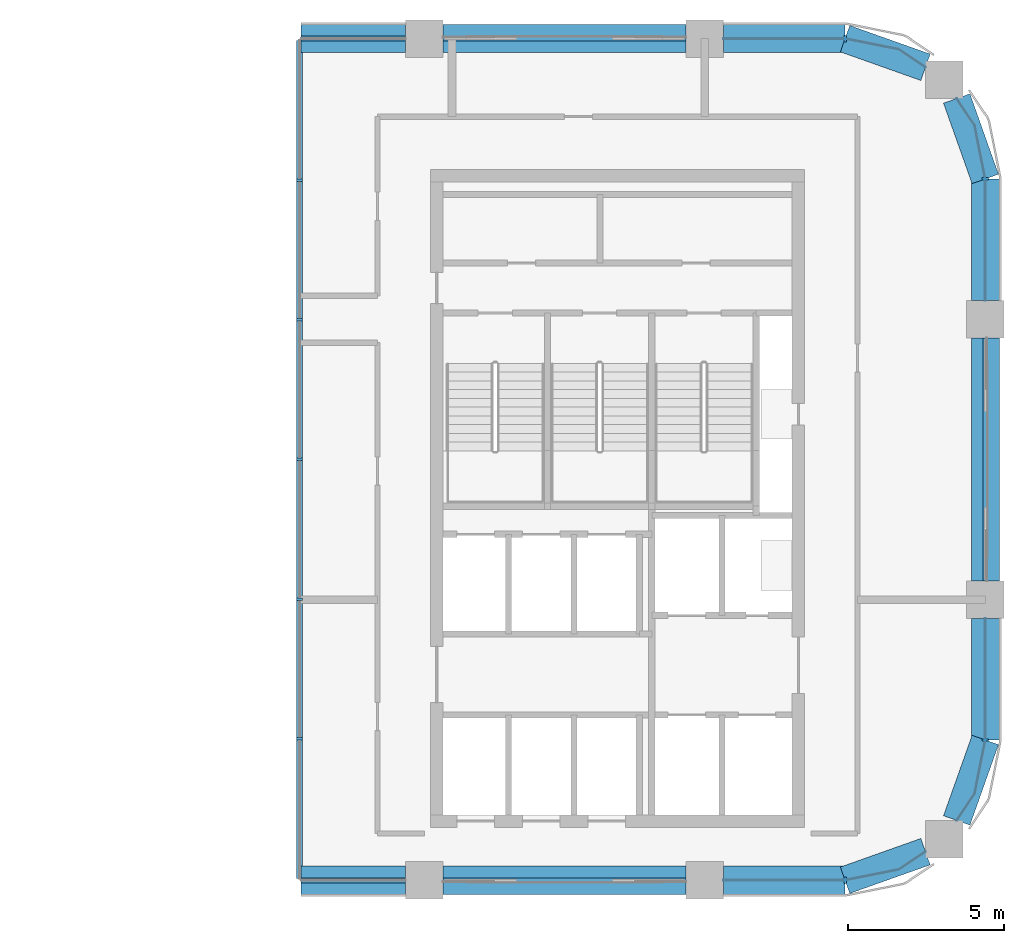
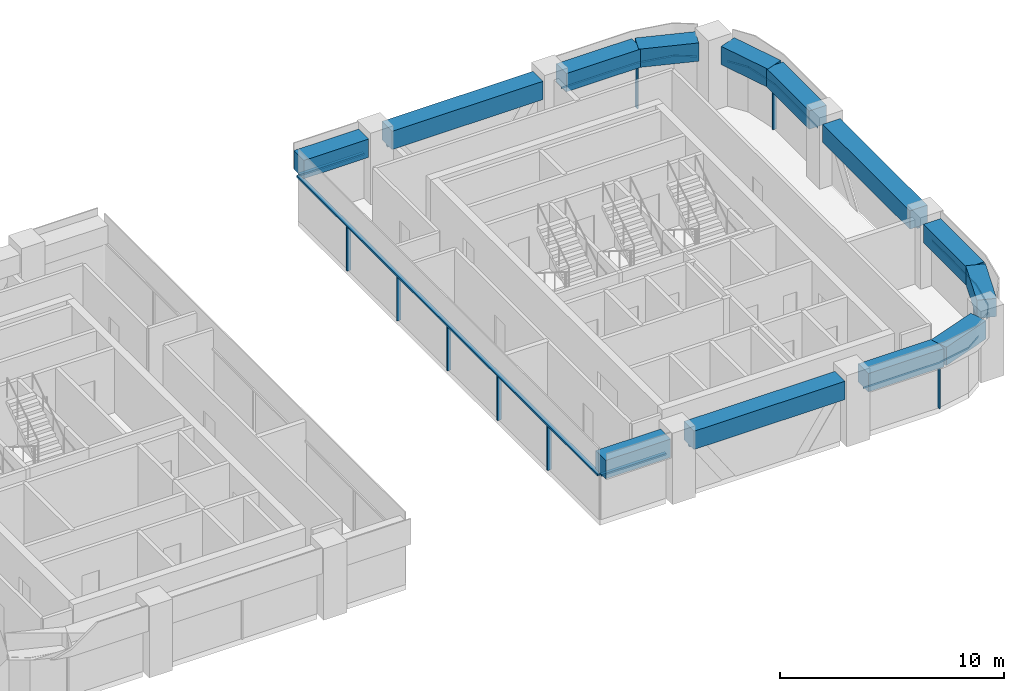
# One storey, part 3 of 11: 19 members, 13 beams, 10 elements without a shape of their own.
"""IFC4 building model written with IfcOpenShell, lengths in metres."""

from ifc_helpers import new_model, si_unit, direction, frame, origin, origin_2d, place, context, subcontext, project, spatial, polyline, rectangle, outline, extrude, material, material_profile, profile_set, type_object, element, aggregate, save


model = new_model("IFC4")

# Units and contexts
model_context = context("Model", 3, precision=1e-05, world=origin(), true_north=direction((0.0, 1.0)))
body_context = subcontext(model_context, "Body", "Model", "MODEL_VIEW")
ifc_project = project(units=[si_unit("LENGTHUNIT", "METRE"), si_unit("AREAUNIT", "SQUARE_METRE"), si_unit("VOLUMEUNIT", "CUBIC_METRE"), si_unit("PLANEANGLEUNIT", "RADIAN"), si_unit("MASSUNIT", "GRAM", prefix="KILO")], contexts=[model_context])

# Site, building, storey
site_placement = place(None, origin())
site = spatial("IfcSite", under=ifc_project, at=site_placement, CompositionType="ELEMENT")
building_placement = place(site_placement, origin())
building = spatial("IfcBuilding", under=site, at=building_placement, Name="Tessera Arch", CompositionType="ELEMENT")
storey_placement = place(building_placement, frame((0.0, 0.0, 222.800048828125)))
storey = spatial("IfcBuildingStorey", under=building, at=storey_placement, Name="L53", CompositionType="ELEMENT", Elevation=222.800048828125)

# Curtain wall, member
ifc_material_1 = material(Name="CW1 curtain wall")
curtain_wall_type_1 = type_object("IfcCurtainWallType", Name="CW1 curtain wall", PredefinedType="NOTDEFINED", material=ifc_material_1)
curtain_wall_1_placement = place(storey_placement, origin())
curtain_wall_1 = element("IfcCurtainWall", 1, at=curtain_wall_1_placement, inside=storey, type_object=curtain_wall_type_1, Name="CW1 curtain wall S27.32/0 L53", PredefinedType="NOTDEFINED")
ifc_material_2 = material(Name="Anodised aluminium pale metal", Category="aluminium")
ifc_material_profile_1 = material_profile(ifc_material_2, rectangle(XDim=0.159912109375, YDim=0.10009765625, at=origin_2d()), Name="AL 160x100")
ifc_profile_set_1 = profile_set([ifc_material_profile_1], Name="Anodised aluminium pale metal")
member_type_1 = type_object("IfcMemberType", Name="CW1 transom", PredefinedType="USERDEFINED", material=ifc_profile_set_1)
member_1_placement = place(storey_placement, frame((32.050048828125, 27.0, 2.449951171875), z_axis=(1.0, 0.0, 0.0), x_axis=(0.0, 1.0, 0.0)))
member_1 = element("IfcMember", 2, at=member_1_placement, type_object=member_type_1, Name="CW1 transom S27.32/0 1.1", ObjectType="TRANSOM", PredefinedType="USERDEFINED", context=body_context, shape_type="SweptSolid", body=[
    extrude(rectangle(XDim=0.159912109375, YDim=0.10009765625, at=origin_2d()), origin(), (0.0, 0.0, 1.0), 3.349853515625),
])
aggregate(curtain_wall_1, [member_1])

curtain_wall_2_placement = place(storey_placement, origin())
curtain_wall_2 = element("IfcCurtainWall", 3, at=curtain_wall_2_placement, inside=storey, type_object=curtain_wall_type_1, Name="CW1 curtain wall N54.32/2 L53", PredefinedType="NOTDEFINED")
member_2_placement = place(storey_placement, frame((35.39990234375, 54.0, 2.449951171875), z_axis=(-1.0, 0.0, 0.0), x_axis=(0.0, -1.0, 0.0)))
member_2 = element("IfcMember", 4, at=member_2_placement, type_object=member_type_1, Name="CW1 transom N54.32/2 1.1", ObjectType="TRANSOM", PredefinedType="USERDEFINED", context=body_context, shape_type="SweptSolid", body=[
    extrude(rectangle(XDim=0.159912109375, YDim=0.10009765625, at=origin_2d()), origin(), (0.0, 0.0, 1.0), 3.349853515625),
])
aggregate(curtain_wall_2, [member_2])

ifc_material_3 = material(Name="CW2 curtain wall")
curtain_wall_type_2 = type_object("IfcCurtainWallType", Name="CW2 curtain wall", PredefinedType="NOTDEFINED", material=ifc_material_3)
curtain_wall_3_placement = place(storey_placement, origin())
curtain_wall_3 = element("IfcCurtainWall", 5, at=curtain_wall_3_placement, inside=storey, type_object=curtain_wall_type_2, Name="CW2 curtain wall S27.32/2 L53", PredefinedType="NOTDEFINED")
ifc_material_4 = material(Name="Anodised aluminium pale metal", Category="aluminium")
ifc_material_profile_2 = material_profile(ifc_material_4, rectangle(XDim=0.199951171875, YDim=0.080078125, at=origin_2d()), Name="AL 80x200")
ifc_profile_set_2 = profile_set([ifc_material_profile_2], Name="Anodised aluminium pale metal")
member_type_2 = type_object("IfcMemberType", Name="CW2 mullion", PredefinedType="MULLION", material=ifc_profile_set_2)
member_3_placement = place(storey_placement, frame((49.5, 27.0, 0.0), z_axis=(0.0, 0.0, 1.0), x_axis=(0.0, 1.0, 0.0)))
member_3 = element("IfcMember", 6, at=member_3_placement, type_object=member_type_2, Name="CW2 mullion S27.32/2 1", PredefinedType="MULLION", context=body_context, shape_type="SweptSolid", body=[
    extrude(rectangle(XDim=0.199951171875, YDim=0.080078125, at=origin_2d()), origin(), (0.0, 0.0, 1.0), 2.39990234375),
])

curtain_wall_4_placement = place(storey_placement, origin())
curtain_wall_4 = element("IfcCurtainWall", 7, at=curtain_wall_4_placement, inside=storey, type_object=curtain_wall_type_2, Name="CW2 curtain wall E54.27/0 L53", PredefinedType="NOTDEFINED")
member_4_placement = place(storey_placement, frame((54.0, 31.5, 0.0), z_axis=(0.0, 0.0, 1.0), x_axis=(-1.0, 0.0, 0.0)))
member_4 = element("IfcMember", 8, at=member_4_placement, type_object=member_type_2, Name="CW2 mullion E54.27/0 1", PredefinedType="MULLION", context=body_context, shape_type="SweptSolid", body=[
    extrude(rectangle(XDim=0.199951171875, YDim=0.080078125, at=origin_2d()), origin(), (0.0, 0.0, 1.0), 2.39990234375),
])

curtain_wall_5_placement = place(storey_placement, origin())
curtain_wall_5 = element("IfcCurtainWall", 9, at=curtain_wall_5_placement, inside=storey, type_object=curtain_wall_type_2, Name="CW2 curtain wall E54.27/2 L53", PredefinedType="NOTDEFINED")
member_5_placement = place(storey_placement, frame((54.0, 49.5, 0.0), z_axis=(0.0, 0.0, 1.0), x_axis=(-1.0, 0.0, 0.0)))
member_5 = element("IfcMember", 10, at=member_5_placement, type_object=member_type_2, Name="CW2 mullion E54.27/2 1", PredefinedType="MULLION", context=body_context, shape_type="SweptSolid", body=[
    extrude(rectangle(XDim=0.199951171875, YDim=0.080078125, at=origin_2d()), origin(), (0.0, 0.0, 1.0), 2.39990234375),
])

curtain_wall_6_placement = place(storey_placement, origin())
curtain_wall_6 = element("IfcCurtainWall", 11, at=curtain_wall_6_placement, inside=storey, type_object=curtain_wall_type_2, Name="CW2 curtain wall N54.32/0 L53", PredefinedType="NOTDEFINED")
member_6_placement = place(storey_placement, frame((49.5, 54.0, 0.0), z_axis=(0.0, 0.0, 1.0), x_axis=(0.0, -1.0, 0.0)))
member_6 = element("IfcMember", 12, at=member_6_placement, type_object=member_type_2, Name="CW2 mullion N54.32/0 1", PredefinedType="MULLION", context=body_context, shape_type="SweptSolid", body=[
    extrude(rectangle(XDim=0.199951171875, YDim=0.080078125, at=origin_2d()), origin(), (0.0, 0.0, 1.0), 2.39990234375),
])

# Member
ifc_material_5 = material(Name="Anodised aluminium pale metal", Category="aluminium")
ifc_material_profile_3 = material_profile(ifc_material_5, rectangle(XDim=0.199951171875, YDim=0.10009765625, at=origin_2d()), Name="AL 200x100")
ifc_profile_set_3 = profile_set([ifc_material_profile_3], Name="Anodised aluminium pale metal")
member_type_3 = type_object("IfcMemberType", Name="CW2 transom", PredefinedType="USERDEFINED", material=ifc_profile_set_3)
member_7_placement = place(storey_placement, frame((0.0, 0.0, 2.39990234375)))
member_7 = element("IfcMember", 13, at=member_7_placement, type_object=member_type_3, Name="CW2 transom S27.32/2 1", ObjectType="TRANSOM", PredefinedType="USERDEFINED", context=body_context, shape_type="SweptSolid", body=[
    extrude(outline(polyline([(49.4990234375, 27.010009765625), (45.60009765625, 27.010009765625), (45.60009765625, 26.989990234375), (49.5009765625, 26.989990234375), (51.22607421875, 27.3330078125), (52.087646484375, 27.90869140625), (52.076416015625, 27.92529296875), (51.21826171875, 27.351806640625), (49.4990234375, 27.010009765625)])), origin(), (0.0, 0.0, 1.0), 0.10009765625),
])

aggregate(curtain_wall_3, [member_3, member_7])

member_8_placement = place(storey_placement, frame((0.0, 0.0, 2.39990234375)))
member_8 = element("IfcMember", 14, at=member_8_placement, type_object=member_type_3, Name="CW2 transom E54.27/0 1", ObjectType="TRANSOM", PredefinedType="USERDEFINED", context=body_context, shape_type="SweptSolid", body=[
    extrude(outline(polyline([(53.648193359375, 29.78173828125), (53.07470703125, 28.923583984375), (53.09130859375, 28.912353515625), (53.6669921875, 29.77392578125), (54.010009765625, 31.4990234375), (54.010009765625, 35.39990234375), (53.989990234375, 35.39990234375), (53.989990234375, 31.5009765625), (53.648193359375, 29.78173828125)])), origin(), (0.0, 0.0, 1.0), 0.10009765625),
])

aggregate(curtain_wall_4, [member_4, member_8])

member_9_placement = place(storey_placement, frame((0.0, 0.0, 2.39990234375)))
member_9 = element("IfcMember", 15, at=member_9_placement, type_object=member_type_3, Name="CW2 transom E54.27/2 1", ObjectType="TRANSOM", PredefinedType="USERDEFINED", context=body_context, shape_type="SweptSolid", body=[
    extrude(outline(polyline([(53.989990234375, 49.4990234375), (53.989990234375, 45.60009765625), (54.010009765625, 45.60009765625), (54.010009765625, 49.5009765625), (53.6669921875, 51.22607421875), (53.09130859375, 52.087646484375), (53.07470703125, 52.076416015625), (53.648193359375, 51.21826171875), (53.989990234375, 49.4990234375)])), origin(), (0.0, 0.0, 1.0), 0.10009765625),
])

aggregate(curtain_wall_5, [member_5, member_9])

member_10_placement = place(storey_placement, frame((0.0, 0.0, 2.39990234375)))
member_10 = element("IfcMember", 16, at=member_10_placement, type_object=member_type_3, Name="CW2 transom N54.32/0 1", ObjectType="TRANSOM", PredefinedType="USERDEFINED", context=body_context, shape_type="SweptSolid", body=[
    extrude(outline(polyline([(51.21826171875, 53.648193359375), (52.076416015625, 53.07470703125), (52.087646484375, 53.09130859375), (51.22607421875, 53.6669921875), (49.5009765625, 54.010009765625), (45.60009765625, 54.010009765625), (45.60009765625, 53.989990234375), (49.4990234375, 53.989990234375), (51.21826171875, 53.648193359375)])), origin(), (0.0, 0.0, 1.0), 0.10009765625),
])

aggregate(curtain_wall_6, [member_6, member_10])

# Curtain wall, member
ifc_material_6 = material(Name="CW3 curtain wall")
curtain_wall_type_3 = type_object("IfcCurtainWallType", Name="CW3 curtain wall", PredefinedType="NOTDEFINED", material=ifc_material_6)
curtain_wall_7_placement = place(storey_placement, origin())
curtain_wall_7 = element("IfcCurtainWall", 17, at=curtain_wall_7_placement, inside=storey, type_object=curtain_wall_type_3, Name="CW3 curtain wall S27.32/1 L53", PredefinedType="NOTDEFINED")
ifc_material_7 = material(Name="Anodised aluminium pale metal", Category="aluminium")
ifc_material_profile_4 = material_profile(ifc_material_7, rectangle(XDim=0.139892578125, YDim=0.10009765625, at=origin_2d()), Name="AL 140x100")
ifc_profile_set_4 = profile_set([ifc_material_profile_4], Name="Anodised aluminium pale metal")
member_type_4 = type_object("IfcMemberType", Name="CW3 transom", PredefinedType="USERDEFINED", material=ifc_profile_set_4)
member_11_placement = place(storey_placement, frame((36.60009765625, 27.0, 2.449951171875), z_axis=(1.0, 0.0, 0.0), x_axis=(0.0, 1.0, 0.0)))
member_11 = element("IfcMember", 18, at=member_11_placement, type_object=member_type_4, Name="CW3 transom S27.32/1 1.1", ObjectType="TRANSOM", PredefinedType="USERDEFINED", context=body_context, shape_type="SweptSolid", body=[
    extrude(rectangle(XDim=0.139892578125, YDim=0.10009765625, at=origin_2d()), origin(), (0.0, 0.0, 1.0), 7.7998046875),
])
aggregate(curtain_wall_7, [member_11])

curtain_wall_8_placement = place(storey_placement, origin())
curtain_wall_8 = element("IfcCurtainWall", 19, at=curtain_wall_8_placement, inside=storey, type_object=curtain_wall_type_3, Name="CW3 curtain wall E54.27/1 L53", PredefinedType="NOTDEFINED")
member_12_placement = place(storey_placement, frame((54.0, 36.60009765625, 2.449951171875), z_axis=(0.0, 1.0, 0.0), x_axis=(-1.0, 0.0, 0.0)))
member_12 = element("IfcMember", 20, at=member_12_placement, type_object=member_type_4, Name="CW3 transom E54.27/1 1.1", ObjectType="TRANSOM", PredefinedType="USERDEFINED", context=body_context, shape_type="SweptSolid", body=[
    extrude(rectangle(XDim=0.139892578125, YDim=0.10009765625, at=origin_2d()), origin(), (0.0, 0.0, 1.0), 7.7998046875),
])
aggregate(curtain_wall_8, [member_12])

curtain_wall_9_placement = place(storey_placement, origin())
curtain_wall_9 = element("IfcCurtainWall", 21, at=curtain_wall_9_placement, inside=storey, type_object=curtain_wall_type_3, Name="CW3 curtain wall N54.32/1 L53", PredefinedType="NOTDEFINED")
member_13_placement = place(storey_placement, frame((44.39990234375, 54.0, 2.449951171875), z_axis=(-1.0, 0.0, 0.0), x_axis=(0.0, -1.0, 0.0)))
member_13 = element("IfcMember", 22, at=member_13_placement, type_object=member_type_4, Name="CW3 transom N54.32/1 1.1", ObjectType="TRANSOM", PredefinedType="USERDEFINED", context=body_context, shape_type="SweptSolid", body=[
    extrude(rectangle(XDim=0.139892578125, YDim=0.10009765625, at=origin_2d()), origin(), (0.0, 0.0, 1.0), 7.7998046875),
])
aggregate(curtain_wall_9, [member_13])

# Curtain wall, members
ifc_material_8 = material(Name="CW5 curtain wall")
curtain_wall_type_4 = type_object("IfcCurtainWallType", Name="CW5 curtain wall", PredefinedType="NOTDEFINED", material=ifc_material_8)
curtain_wall_10_placement = place(storey_placement, origin())
curtain_wall_10 = element("IfcCurtainWall", 23, at=curtain_wall_10_placement, inside=storey, type_object=curtain_wall_type_4, Name="CW5 curtain wall W32.27/0 L53", PredefinedType="NOTDEFINED")
ifc_material_9 = material(Name="Anodised aluminium pale metal", Category="aluminium")
ifc_material_profile_5 = material_profile(ifc_material_9, rectangle(XDim=0.199951171875, YDim=0.080078125, at=origin_2d()), Name="AL 80x200")
ifc_profile_set_5 = profile_set([ifc_material_profile_5], Name="Anodised aluminium pale metal")
member_type_5 = type_object("IfcMemberType", Name="CW5 mullion", PredefinedType="MULLION", material=ifc_profile_set_5)
member_14_placement = place(storey_placement, frame((32.0, 49.466552734375, 0.0), z_axis=(0.0, 0.0, 1.0), x_axis=(1.0, 0.0, 0.0)))
member_14 = element("IfcMember", 24, at=member_14_placement, type_object=member_type_5, Name="CW5 mullion W32.27/0 1", PredefinedType="MULLION", context=body_context, shape_type="SweptSolid", body=[
    extrude(rectangle(XDim=0.199951171875, YDim=0.080078125, at=origin_2d()), origin(), (0.0, 0.0, 1.0), 2.39990234375),
])
member_15_placement = place(storey_placement, frame((32.0, 44.9833984375, 0.0), z_axis=(0.0, 0.0, 1.0), x_axis=(1.0, 0.0, 0.0)))
member_15 = element("IfcMember", 25, at=member_15_placement, type_object=member_type_5, Name="CW5 mullion W32.27/0 2", PredefinedType="MULLION", context=body_context, shape_type="SweptSolid", body=[
    extrude(rectangle(XDim=0.199951171875, YDim=0.080078125, at=origin_2d()), origin(), (0.0, 0.0, 1.0), 2.39990234375),
])
member_16_placement = place(storey_placement, frame((32.0, 40.5, 0.0), z_axis=(0.0, 0.0, 1.0), x_axis=(1.0, 0.0, 0.0)))
member_16 = element("IfcMember", 26, at=member_16_placement, type_object=member_type_5, Name="CW5 mullion W32.27/0 3", PredefinedType="MULLION", context=body_context, shape_type="SweptSolid", body=[
    extrude(rectangle(XDim=0.199951171875, YDim=0.080078125, at=origin_2d()), origin(), (0.0, 0.0, 1.0), 2.39990234375),
])
member_17_placement = place(storey_placement, frame((32.0, 36.0166015625, 0.0), z_axis=(0.0, 0.0, 1.0), x_axis=(1.0, 0.0, 0.0)))
member_17 = element("IfcMember", 27, at=member_17_placement, type_object=member_type_5, Name="CW5 mullion W32.27/0 4", PredefinedType="MULLION", context=body_context, shape_type="SweptSolid", body=[
    extrude(rectangle(XDim=0.199951171875, YDim=0.080078125, at=origin_2d()), origin(), (0.0, 0.0, 1.0), 2.39990234375),
])
member_18_placement = place(storey_placement, frame((32.0, 31.533447265625, 0.0), z_axis=(0.0, 0.0, 1.0), x_axis=(1.0, 0.0, 0.0)))
member_18 = element("IfcMember", 28, at=member_18_placement, type_object=member_type_5, Name="CW5 mullion W32.27/0 5", PredefinedType="MULLION", context=body_context, shape_type="SweptSolid", body=[
    extrude(rectangle(XDim=0.199951171875, YDim=0.080078125, at=origin_2d()), origin(), (0.0, 0.0, 1.0), 2.39990234375),
])
ifc_material_10 = material(Name="Anodised aluminium pale metal", Category="aluminium")
ifc_material_profile_6 = material_profile(ifc_material_10, rectangle(XDim=0.199951171875, YDim=0.10009765625, at=origin_2d()), Name="AL 200x100")
ifc_profile_set_6 = profile_set([ifc_material_profile_6], Name="Anodised aluminium pale metal")
member_type_6 = type_object("IfcMemberType", Name="CW5 transom", PredefinedType="USERDEFINED", material=ifc_profile_set_6)
member_19_placement = place(storey_placement, frame((32.0, 53.949951171875, 2.449951171875), z_axis=(0.0, -1.0, 0.0), x_axis=(1.0, 0.0, 0.0)))
member_19 = element("IfcMember", 29, at=member_19_placement, type_object=member_type_6, Name="CW5 transom W32.27/0 1.1", ObjectType="TRANSOM", PredefinedType="USERDEFINED", context=body_context, shape_type="SweptSolid", body=[
    extrude(rectangle(XDim=0.199951171875, YDim=0.10009765625, at=origin_2d()), origin(), (0.0, 0.0, 1.0), 26.89990234375),
])
aggregate(curtain_wall_10, [member_14, member_15, member_16, member_17, member_18, member_19])

# Beams
ifc_material_11 = material(Name="Concrete C60/75", Category="concrete")
ifc_material_profile_7 = material_profile(ifc_material_11, rectangle(XDim=0.89990234375, YDim=1.0, at=origin_2d()), Name="RC spandrel beam 900 x 1000 Concrete C60/75")
ifc_profile_set_7 = profile_set([ifc_material_profile_7], Name="Concrete C60/75")
beam_type = type_object("IfcBeamType", Name="RC spandrel beam 900 x 1000 Concrete C60/75", PredefinedType="BEAM", material=ifc_profile_set_7)
beam_1_placement = place(storey_placement, frame((32.050048828125, 27.0, 3.0), z_axis=(1.0, 0.0, 0.0), x_axis=(0.0, 1.0, 0.0)))
element("IfcBeam", 30, at=beam_1_placement, inside=storey, type_object=beam_type, Name="Spandrel beam L53 S27.32/0", PredefinedType="BEAM", context=body_context, shape_type="SweptSolid", body=[
    extrude(rectangle(XDim=0.89990234375, YDim=1.0, at=origin_2d()), origin(), (0.0, 0.0, 1.0), 3.349853515625),
])
beam_2_placement = place(storey_placement, frame((36.60009765625, 27.0, 3.0), z_axis=(1.0, 0.0, 0.0), x_axis=(0.0, 1.0, 0.0)))
element("IfcBeam", 31, at=beam_2_placement, inside=storey, type_object=beam_type, Name="Spandrel beam L53 S27.32/1", PredefinedType="BEAM", context=body_context, shape_type="SweptSolid", body=[
    extrude(rectangle(XDim=0.89990234375, YDim=1.0, at=origin_2d()), origin(), (0.0, 0.0, 1.0), 7.7998046875),
])
beam_3_placement = place(storey_placement, frame((45.60009765625, 27.0, 3.0), z_axis=(1.0, 0.0, 0.0), x_axis=(0.0, 1.0, 0.0)))
element("IfcBeam", 32, at=beam_3_placement, inside=storey, type_object=beam_type, Name="Spandrel beam L53 S27.32/2.1", PredefinedType="BEAM", context=body_context, shape_type="SweptSolid", body=[
    extrude(rectangle(XDim=0.89990234375, YDim=1.0, at=origin_2d()), origin(), (0.0, 0.0, 1.0), 3.89990234375),
])
for number, where, z_axis, x_axis, name in (
    (33, (49.5, 27.0, 3.0), (0.942337127159, 0.334665114373, 0.0), (-0.334665114373, 0.942337127159, 0.0), "Spandrel beam L53 S27.32/2.2"),
    (34, (53.0830078125, 28.91796875, 3.0), (0.334665114373, 0.942337127159, 0.0), (-0.942337127159, 0.334665114373, 0.0), "Spandrel beam L53 E54.27/0.1"),
):
    element("IfcBeam", number, at=place(storey_placement, frame(where, z_axis=z_axis, x_axis=x_axis)), inside=storey, type_object=beam_type, Name=name, PredefinedType="BEAM", context=body_context, shape_type="SweptSolid", body=[
        extrude(rectangle(XDim=0.89990234375, YDim=1.0, at=origin_2d()), origin(), (0.0, 0.0, 1.0), 2.739990234375),
    ])
beam_4_placement = place(storey_placement, frame((54.0, 31.5, 3.0), z_axis=(0.0, 1.0, 0.0), x_axis=(-1.0, 0.0, 0.0)))
element("IfcBeam", 35, at=beam_4_placement, inside=storey, type_object=beam_type, Name="Spandrel beam L53 E54.27/0.2", PredefinedType="BEAM", context=body_context, shape_type="SweptSolid", body=[
    extrude(rectangle(XDim=0.89990234375, YDim=1.0, at=origin_2d()), origin(), (0.0, 0.0, 1.0), 3.89990234375),
])
beam_5_placement = place(storey_placement, frame((54.0, 36.60009765625, 3.0), z_axis=(0.0, 1.0, 0.0), x_axis=(-1.0, 0.0, 0.0)))
element("IfcBeam", 36, at=beam_5_placement, inside=storey, type_object=beam_type, Name="Spandrel beam L53 E54.27/1", PredefinedType="BEAM", context=body_context, shape_type="SweptSolid", body=[
    extrude(rectangle(XDim=0.89990234375, YDim=1.0, at=origin_2d()), origin(), (0.0, 0.0, 1.0), 7.7998046875),
])
beam_6_placement = place(storey_placement, frame((54.0, 45.60009765625, 3.0), z_axis=(0.0, 1.0, 0.0), x_axis=(-1.0, 0.0, 0.0)))
element("IfcBeam", 37, at=beam_6_placement, inside=storey, type_object=beam_type, Name="Spandrel beam L53 E54.27/2.1", PredefinedType="BEAM", context=body_context, shape_type="SweptSolid", body=[
    extrude(rectangle(XDim=0.89990234375, YDim=1.0, at=origin_2d()), origin(), (0.0, 0.0, 1.0), 3.89990234375),
])
for number, where, z_axis, x_axis, name in (
    (38, (54.0, 49.5, 3.0), (-0.334665114373, 0.942337127159, 0.0), (-0.942337127159, -0.334665114373, 0.0), "Spandrel beam L53 E54.27/2.2"),
    (39, (52.08203125, 53.0830078125, 3.0), (-0.942337127159, 0.334665114373, 0.0), (-0.334665114373, -0.942337127159, 0.0), "Spandrel beam L53 N54.32/0.1"),
):
    element("IfcBeam", number, at=place(storey_placement, frame(where, z_axis=z_axis, x_axis=x_axis)), inside=storey, type_object=beam_type, Name=name, PredefinedType="BEAM", context=body_context, shape_type="SweptSolid", body=[
        extrude(rectangle(XDim=0.89990234375, YDim=1.0, at=origin_2d()), origin(), (0.0, 0.0, 1.0), 2.739990234375),
    ])
beam_7_placement = place(storey_placement, frame((49.5, 54.0, 3.0), z_axis=(-1.0, 0.0, 0.0), x_axis=(0.0, -1.0, 0.0)))
element("IfcBeam", 40, at=beam_7_placement, inside=storey, type_object=beam_type, Name="Spandrel beam L53 N54.32/0.2", PredefinedType="BEAM", context=body_context, shape_type="SweptSolid", body=[
    extrude(rectangle(XDim=0.89990234375, YDim=1.0, at=origin_2d()), origin(), (0.0, 0.0, 1.0), 3.89990234375),
])
beam_8_placement = place(storey_placement, frame((44.39990234375, 54.0, 3.0), z_axis=(-1.0, 0.0, 0.0), x_axis=(0.0, -1.0, 0.0)))
element("IfcBeam", 41, at=beam_8_placement, inside=storey, type_object=beam_type, Name="Spandrel beam L53 N54.32/1", PredefinedType="BEAM", context=body_context, shape_type="SweptSolid", body=[
    extrude(rectangle(XDim=0.89990234375, YDim=1.0, at=origin_2d()), origin(), (0.0, 0.0, 1.0), 7.7998046875),
])
beam_9_placement = place(storey_placement, frame((35.39990234375, 54.0, 3.0), z_axis=(-1.0, 0.0, 0.0), x_axis=(0.0, -1.0, 0.0)))
element("IfcBeam", 42, at=beam_9_placement, inside=storey, type_object=beam_type, Name="Spandrel beam L53 N54.32/2", PredefinedType="BEAM", context=body_context, shape_type="SweptSolid", body=[
    extrude(rectangle(XDim=0.89990234375, YDim=1.0, at=origin_2d()), origin(), (0.0, 0.0, 1.0), 3.349853515625),
])

save(model, "model.ifc")
